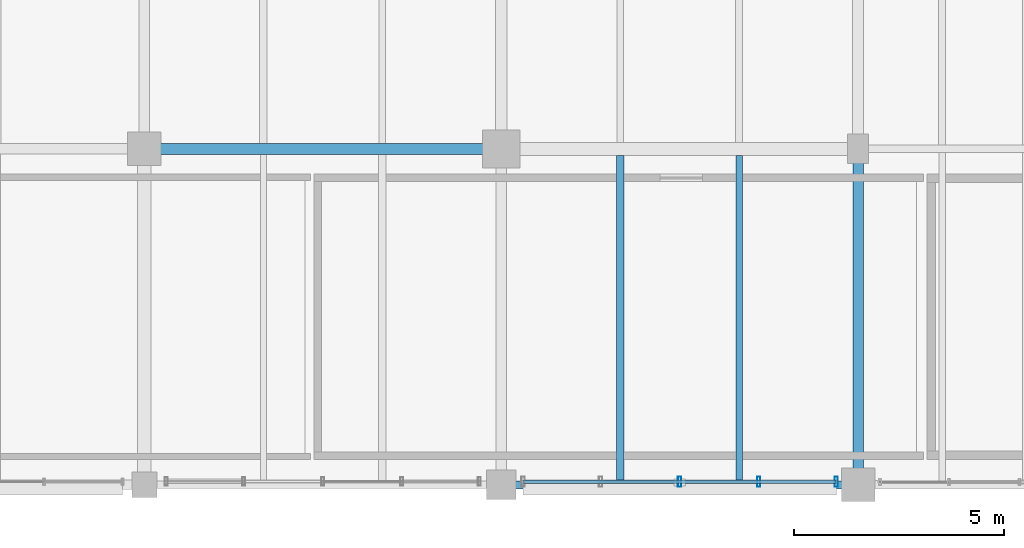
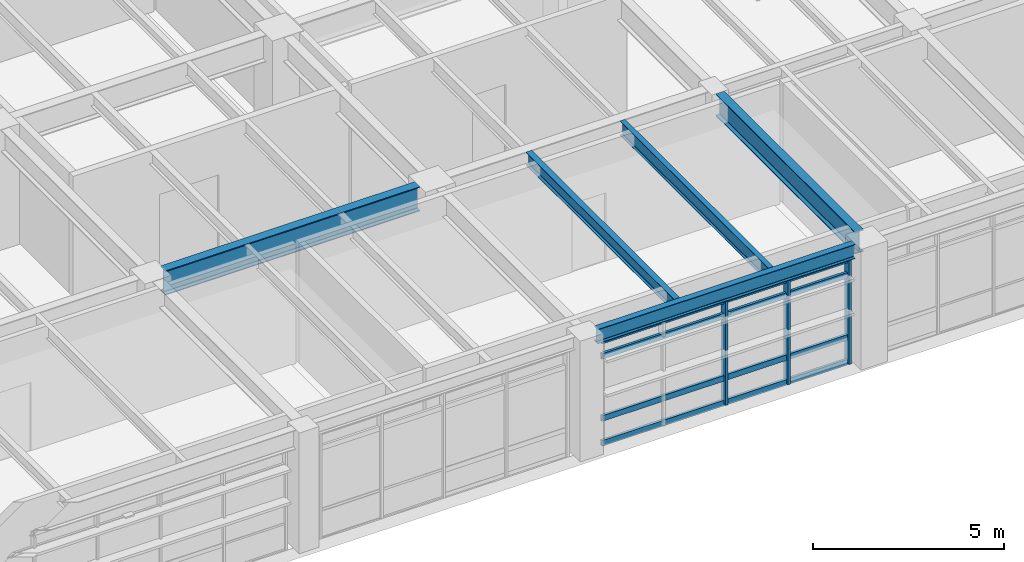
# One storey, part 11 of 26: 7 members, 5 beams, 1 element without a shape of its own.
"""IFC4 building model written with IfcOpenShell, lengths in metres."""

from ifc_helpers import new_model, si_unit, direction, frame, origin, origin_2d, place, context, subcontext, project, spatial, hollow_rectangle, i_section, extrude, material, material_profile, profile_set, type_object, element, aggregate, save


model = new_model("IFC4")

# Units and contexts
model_context = context("Model", 3, precision=1e-05, world=origin(), true_north=direction((0.0, 1.0)))
body_context = subcontext(model_context, "Body", "Model", "MODEL_VIEW")
ifc_project = project(units=[si_unit("LENGTHUNIT", "METRE"), si_unit("AREAUNIT", "SQUARE_METRE"), si_unit("VOLUMEUNIT", "CUBIC_METRE"), si_unit("PLANEANGLEUNIT", "RADIAN"), si_unit("MASSUNIT", "GRAM", prefix="KILO"), si_unit("THERMODYNAMICTEMPERATUREUNIT", "KELVIN"), si_unit("POWERUNIT", "WATT")], contexts=[model_context])

# Site, building, storey
site_placement = place(None, origin())
site = spatial("IfcSite", under=ifc_project, at=site_placement, CompositionType="ELEMENT")
building_placement = place(site_placement, origin())
building = spatial("IfcBuilding", under=site, at=building_placement, Name="Tepalcoro Natatorium and Aquatics Centre", CompositionType="ELEMENT")
storey_placement = place(building_placement, frame((0.0, 0.0, 19.0)))
storey = spatial("IfcBuildingStorey", under=building, at=storey_placement, Name="L04", CompositionType="ELEMENT", Elevation=19.0)

# Beams
ifc_material_1 = material(Name="Steel ASTM A992 Grade 50 (Fy 345 MPa)", Category="steel")
ifc_material_profile_1 = material_profile(ifc_material_1, i_section(OverallWidth=0.25390625, OverallDepth=0.700927734375, WebThickness=0.014892578125, FlangeThickness=0.028076171875, FilletRadius=0.013916015625, at=origin_2d()), Name="W27X129")
ifc_profile_set_1 = profile_set([ifc_material_profile_1], Name="Steel ASTM A992 Grade 50 (Fy 345 MPa)")
beam_type_1 = type_object("IfcBeamType", Name="BM_W27x129", PredefinedType="BEAM", material=ifc_profile_set_1)
beam_1_placement = place(storey_placement, frame((159.0, 94.385009765625, 3.484619140625), z_axis=(0.0, 1.0, 0.0), x_axis=(-1.0, 0.0, 0.0)))
element("IfcBeam", 1, at=beam_1_placement, inside=storey, type_object=beam_type_1, Name="V5 L04 Grid Girder Y", PredefinedType="BEAM", context=body_context, shape_type="SweptSolid", body=[
    extrude(i_section(OverallWidth=0.25390625, OverallDepth=0.700927734375, WebThickness=0.014892578125, FlangeThickness=0.028076171875, FilletRadius=0.013916015625, at=origin_2d()), origin(), (0.0, 0.0, 1.0), 7.280029296875),
])
ifc_material_profile_2 = material_profile(ifc_material_1, i_section(OverallWidth=0.26708984375, OverallDepth=0.780029296875, WebThickness=0.01708984375, FlangeThickness=0.030029296875, FilletRadius=0.013916015625, at=origin_2d()), Name="W30X148")
ifc_profile_set_2 = profile_set([ifc_material_profile_2], Name="Steel ASTM A992 Grade 50 (Fy 345 MPa)")
beam_type_2 = type_object("IfcBeamType", Name="BM_W30x148", PredefinedType="BEAM", material=ifc_profile_set_2)
beam_2_placement = place(storey_placement, frame((142.385009765625, 102.0, 3.445068359375), z_axis=(1.0, 0.0, 0.0), x_axis=(0.0, 1.0, 0.0)))
element("IfcBeam", 2, at=beam_2_placement, inside=storey, type_object=beam_type_2, Name="V5 L04 Grid Girder X", PredefinedType="BEAM", context=body_context, shape_type="SweptSolid", body=[
    extrude(i_section(OverallWidth=0.26708984375, OverallDepth=0.780029296875, WebThickness=0.01708984375, FlangeThickness=0.030029296875, FilletRadius=0.013916015625, at=origin_2d()), origin(), (0.0, 0.0, 1.0), 7.679931640625),
])

# Curtain wall, members
ifc_material_2 = material(Name="Bronze-Anodised Extruded Aluminium Alloy EN AW-6063 T6", Category="aluminium")
curtain_wall_type = type_object("IfcCurtainWallType", Name="CW_V5_UPPER", PredefinedType="USERDEFINED", material=ifc_material_2)
curtain_wall_placement = place(storey_placement, origin())
curtain_wall = element("IfcCurtainWall", 3, at=curtain_wall_placement, inside=storey, type_object=curtain_wall_type, Name="V5 L04 S Unitised Curtain Wall Bay 5", ObjectType="FACETED SOLAR GLAZING", PredefinedType="USERDEFINED")
ifc_material_profile_3 = material_profile(ifc_material_2, hollow_rectangle(XDim=0.080078125, YDim=0.239990234375, WallThickness=0.0048828125, at=origin_2d()), Name="AL80X240X5")
ifc_profile_set_3 = profile_set([ifc_material_profile_3], Name="Bronze-Anodised Extruded Aluminium Alloy EN AW-6063 T6")
member_type_1 = type_object("IfcMemberType", Name="CW_MUL_80x240", PredefinedType="MULLION", material=ifc_profile_set_3)
member_1_placement = place(storey_placement, frame((154.75, 94.0712890625, 0.02001953125), z_axis=(0.0, 0.0, 1.0), x_axis=(1.0, 0.0, 0.0)))
member_1 = element("IfcMember", 4, at=member_1_placement, type_object=member_type_1, Name="CW_V5_UPPER Curtain Wall Mullion", PredefinedType="MULLION", context=body_context, shape_type="SweptSolid", body=[
    extrude(hollow_rectangle(XDim=0.080078125, YDim=0.239990234375, WallThickness=0.0048828125, at=origin_2d()), origin(), (0.0, 0.0, 1.0), 3.320068359375),
])
member_2_placement = place(storey_placement, frame((156.635009765625, 94.0712890625, 0.02001953125), z_axis=(0.0, 0.0, 1.0), x_axis=(1.0, 0.0, 0.0)))
member_2 = element("IfcMember", 5, at=member_2_placement, type_object=member_type_1, Name="CW_V5_UPPER Curtain Wall Mullion", PredefinedType="MULLION", context=body_context, shape_type="SweptSolid", body=[
    extrude(hollow_rectangle(XDim=0.080078125, YDim=0.239990234375, WallThickness=0.0048828125, at=origin_2d()), origin(), (0.0, 0.0, 1.0), 3.320068359375),
])
member_3_placement = place(storey_placement, frame((158.47998046875, 94.0712890625, 0.02001953125), z_axis=(0.0, 0.0, 1.0), x_axis=(1.0, 0.0, 0.0)))
member_3 = element("IfcMember", 6, at=member_3_placement, type_object=member_type_1, Name="CW_V5_UPPER Curtain Wall Mullion", PredefinedType="MULLION", context=body_context, shape_type="SweptSolid", body=[
    extrude(hollow_rectangle(XDim=0.080078125, YDim=0.239990234375, WallThickness=0.0048828125, at=origin_2d()), origin(), (0.0, 0.0, 1.0), 3.320068359375),
])
ifc_material_profile_4 = material_profile(ifc_material_2, hollow_rectangle(XDim=0.080078125, YDim=0.179931640625, WallThickness=0.0048828125, at=origin_2d()), Name="AL80X180X5")
ifc_profile_set_4 = profile_set([ifc_material_profile_4], Name="Bronze-Anodised Extruded Aluminium Alloy EN AW-6063 T6")
member_type_2 = type_object("IfcMemberType", Name="CW_TRN_80x180", PredefinedType="USERDEFINED", material=ifc_profile_set_4)
member_4_placement = place(storey_placement, frame((151.030029296875, 94.0712890625, 0.050048828125), z_axis=(1.0, 0.0, 0.0), x_axis=(0.0, 1.0, 0.0)))
member_4 = element("IfcMember", 7, at=member_4_placement, type_object=member_type_2, Name="CW_V5_UPPER Curtain Wall Transom", ObjectType="TRANSOM", PredefinedType="USERDEFINED", context=body_context, shape_type="SweptSolid", body=[
    extrude(hollow_rectangle(XDim=0.080078125, YDim=0.179931640625, WallThickness=0.0048828125, at=origin_2d()), origin(), (0.0, 0.0, 1.0), 7.43994140625),
])
member_5_placement = place(storey_placement, frame((151.030029296875, 94.0712890625, 0.840087890625), z_axis=(1.0, 0.0, 0.0), x_axis=(0.0, 1.0, 0.0)))
member_5 = element("IfcMember", 8, at=member_5_placement, type_object=member_type_2, Name="CW_V5_UPPER Curtain Wall Transom", ObjectType="TRANSOM", PredefinedType="USERDEFINED", context=body_context, shape_type="SweptSolid", body=[
    extrude(hollow_rectangle(XDim=0.080078125, YDim=0.179931640625, WallThickness=0.0048828125, at=origin_2d()), origin(), (0.0, 0.0, 1.0), 7.43994140625),
])
member_6_placement = place(storey_placement, frame((151.030029296875, 94.0712890625, 2.822509765625), z_axis=(1.0, 0.0, 0.0), x_axis=(0.0, 1.0, 0.0)))
member_6 = element("IfcMember", 9, at=member_6_placement, type_object=member_type_2, Name="CW_V5_UPPER Curtain Wall Transom", ObjectType="TRANSOM", PredefinedType="USERDEFINED", context=body_context, shape_type="SweptSolid", body=[
    extrude(hollow_rectangle(XDim=0.080078125, YDim=0.179931640625, WallThickness=0.0048828125, at=origin_2d()), origin(), (0.0, 0.0, 1.0), 7.43994140625),
])
member_7_placement = place(storey_placement, frame((151.030029296875, 94.0712890625, 3.31005859375), z_axis=(1.0, 0.0, 0.0), x_axis=(0.0, 1.0, 0.0)))
member_7 = element("IfcMember", 10, at=member_7_placement, type_object=member_type_2, Name="CW_V5_UPPER Curtain Wall Transom", ObjectType="TRANSOM", PredefinedType="USERDEFINED", context=body_context, shape_type="SweptSolid", body=[
    extrude(hollow_rectangle(XDim=0.080078125, YDim=0.179931640625, WallThickness=0.0048828125, at=origin_2d()), origin(), (0.0, 0.0, 1.0), 7.43994140625),
])
aggregate(curtain_wall, [member_1, member_2, member_3, member_4, member_5, member_6, member_7])

# Beams
ifc_material_profile_5 = material_profile(ifc_material_1, i_section(OverallWidth=0.178955078125, OverallDepth=0.409912109375, WebThickness=0.009033203125, FlangeThickness=0.013916015625, FilletRadius=0.013916015625, at=origin_2d()), Name="W16X45")
ifc_profile_set_5 = profile_set([ifc_material_profile_5], Name="Steel ASTM A992 Grade 50 (Fy 345 MPa)")
beam_type_3 = type_object("IfcBeamType", Name="JS_W16x45", PredefinedType="JOIST", material=ifc_profile_set_5)
beam_3_placement = place(storey_placement, frame((153.333251953125, 94.095458984375, 3.6298828125), z_axis=(0.0, 1.0, 0.0), x_axis=(-1.0, 0.0, 0.0)))
element("IfcBeam", 11, at=beam_3_placement, inside=storey, type_object=beam_type_3, Name="V5 L04 Floor Joist", PredefinedType="JOIST", context=body_context, shape_type="SweptSolid", body=[
    extrude(i_section(OverallWidth=0.178955078125, OverallDepth=0.409912109375, WebThickness=0.009033203125, FlangeThickness=0.013916015625, FilletRadius=0.013916015625, at=origin_2d()), origin(), (0.0, 0.0, 1.0), 7.751953125),
])
ifc_material_profile_6 = material_profile(ifc_material_1, i_section(OverallWidth=0.153076171875, OverallDepth=0.455078125, WebThickness=0.008056640625, FlangeThickness=0.012939453125, FilletRadius=0.013916015625, at=origin_2d()), Name="W18X40")
ifc_profile_set_6 = profile_set([ifc_material_profile_6], Name="Steel ASTM A992 Grade 50 (Fy 345 MPa)")
beam_type_4 = type_object("IfcBeamType", Name="JS_W18x40", PredefinedType="JOIST", material=ifc_profile_set_6)
beam_4_placement = place(storey_placement, frame((156.166748046875, 94.095458984375, 3.607421875), z_axis=(0.0, 1.0, 0.0), x_axis=(-1.0, 0.0, 0.0)))
element("IfcBeam", 12, at=beam_4_placement, inside=storey, type_object=beam_type_4, Name="V5 L04 Floor Joist", PredefinedType="JOIST", context=body_context, shape_type="SweptSolid", body=[
    extrude(i_section(OverallWidth=0.153076171875, OverallDepth=0.455078125, WebThickness=0.008056640625, FlangeThickness=0.012939453125, FilletRadius=0.013916015625, at=origin_2d()), origin(), (0.0, 0.0, 1.0), 7.751953125),
])
ifc_material_profile_7 = material_profile(ifc_material_1, i_section(OverallWidth=0.19091796875, OverallDepth=0.4599609375, WebThickness=0.010009765625, FlangeThickness=0.01611328125, FilletRadius=0.013916015625, at=origin_2d()), Name="W18X55")
ifc_profile_set_7 = profile_set([ifc_material_profile_7], Name="Steel ASTM A992 Grade 50 (Fy 345 MPa)")
beam_type_5 = type_object("IfcBeamType", Name="SP_W18x55", PredefinedType="SPANDREL", material=ifc_profile_set_7)
beam_5_placement = place(storey_placement, frame((150.8349609375, 94.0, 3.60498046875), z_axis=(1.0, 0.0, 0.0), x_axis=(0.0, 1.0, 0.0)))
element("IfcBeam", 13, at=beam_5_placement, inside=storey, type_object=beam_type_5, Name="V5 L04 Grid Girder X", PredefinedType="SPANDREL", context=body_context, shape_type="SweptSolid", body=[
    extrude(i_section(OverallWidth=0.19091796875, OverallDepth=0.4599609375, WebThickness=0.010009765625, FlangeThickness=0.01611328125, FilletRadius=0.013916015625, at=origin_2d()), origin(), (0.0, 0.0, 1.0), 7.780029296875),
])

save(model, "model.ifc")
